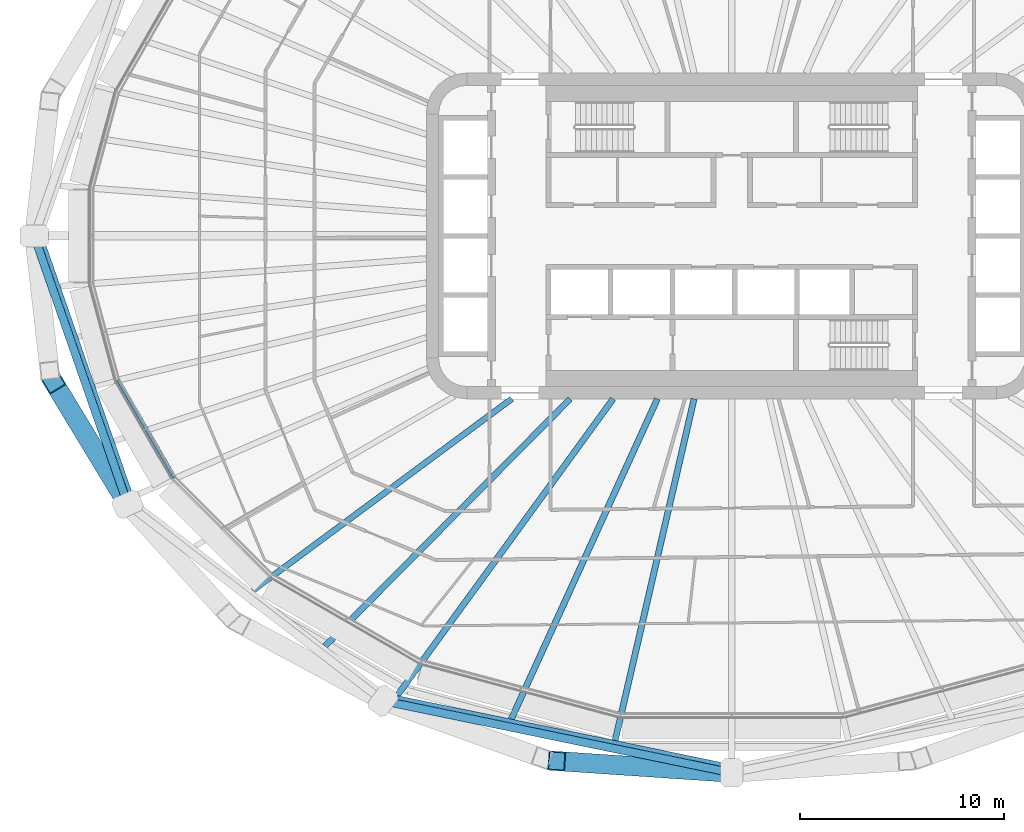
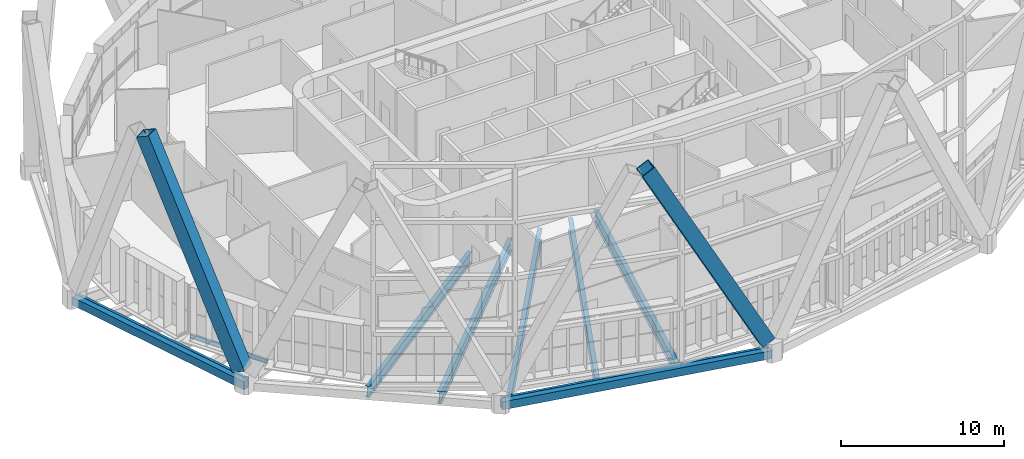
# One storey, part 2 of 25: 10 beams, 2 members.
"""IFC4 building model written with IfcOpenShell, lengths in metres."""

from ifc_helpers import new_model, si_unit, direction, frame, origin, origin_2d, place, context, subcontext, project, spatial, hollow_rectangle, i_section, extrude, material, material_profile, profile_set, type_object, element, save


model = new_model("IFC4")

# Units and contexts
model_context = context("Model", 3, precision=1e-05, world=origin(), true_north=direction((0.0, 1.0)))
body_context = subcontext(model_context, "Body", "Model", "MODEL_VIEW")
ifc_project = project(units=[si_unit("LENGTHUNIT", "METRE"), si_unit("AREAUNIT", "SQUARE_METRE"), si_unit("VOLUMEUNIT", "CUBIC_METRE"), si_unit("PLANEANGLEUNIT", "RADIAN"), si_unit("MASSUNIT", "GRAM", prefix="KILO")], contexts=[model_context])

# Site, building, storey
site_placement = place(None, origin())
site = spatial("IfcSite", under=ifc_project, at=site_placement, CompositionType="ELEMENT")
building_placement = place(site_placement, origin())
building = spatial("IfcBuilding", under=site, at=building_placement, Name="Sahrelin Media Tower", CompositionType="ELEMENT")
storey_placement = place(building_placement, frame((0.0, 0.0, 79.800048828125)))
storey = spatial("IfcBuildingStorey", under=building, at=storey_placement, Name="L14", CompositionType="ELEMENT", Elevation=79.800048828125)

# Members
ifc_material_1 = material(Name="Steel S460", Category="steel")
ifc_material_profile_1 = material_profile(ifc_material_1, hollow_rectangle(XDim=0.949951171875, YDim=0.949951171875, WallThickness=0.054931640625, at=origin_2d()), Name="Diagrid diagonal DG2")
ifc_profile_set_1 = profile_set([ifc_material_profile_1], Name="Steel S460")
member_type = type_object("IfcMemberType", Name="Diagrid diagonal DG2", PredefinedType="BRACE", material=ifc_profile_set_1)
member_1_placement = place(storey_placement, frame((-29.822265625, -12.92041015625, 0.699951171875), z_axis=(-0.207569611633, 0.342492038175, 0.916304567332), x_axis=(-0.855199293174, -0.518299304413, 0.0)))
element("IfcMember", 1, at=member_1_placement, inside=storey, type_object=member_type, Name="Diagrid diagonal D02-13", PredefinedType="BRACE", context=body_context, shape_type="SweptSolid", body=[
    extrude(hollow_rectangle(XDim=0.949951171875, YDim=0.949951171875, WallThickness=0.054931640625, at=origin_2d()), origin(), (0.0, 0.0, 1.0), 16.806640625),
])
member_2_placement = place(storey_placement, frame((-0.373779296875, -26.339111328125, 0.699951171875), z_axis=(-0.470683324445, 0.031647275081, 0.881734460067), x_axis=(-0.067085404611, -0.997747236773, 0.0)))
element("IfcMember", 2, at=member_2_placement, inside=storey, type_object=member_type, Name="Diagrid diagonal D02-17", PredefinedType="BRACE", context=body_context, shape_type="SweptSolid", body=[
    extrude(hollow_rectangle(XDim=0.949951171875, YDim=0.949951171875, WallThickness=0.054931640625, at=origin_2d()), origin(), (0.0, 0.0, 1.0), 17.465576171875),
])

# Beams
ifc_material_profile_2 = material_profile(ifc_material_1, hollow_rectangle(XDim=0.39990234375, YDim=0.60009765625, WallThickness=0.030029296875, at=origin_2d()), Name="Diagrid ring beam RB1")
ifc_profile_set_2 = profile_set([ifc_material_profile_2], Name="Steel S460")
beam_type_1 = type_object("IfcBeamType", Name="Diagrid ring beam RB1", PredefinedType="BEAM", material=ifc_profile_set_2)
beam_1_placement = place(storey_placement, frame((-34.252685546875, 0.0, -0.449951171875), z_axis=(0.328783158081, -0.944405439926, 0.0), x_axis=(0.944405439926, 0.328783158081, 0.0)))
element("IfcBeam", 3, at=beam_1_placement, inside=storey, type_object=beam_type_1, Name="Diagrid ring beam RB02-06", PredefinedType="BEAM", context=body_context, shape_type="SweptSolid", body=[
    extrude(hollow_rectangle(XDim=0.39990234375, YDim=0.60009765625, WallThickness=0.030029296875, at=origin_2d()), origin(), (0.0, 0.0, 1.0), 13.957763671875),
])
beam_2_placement = place(storey_placement, frame((-17.126220703125, -22.83203125, -0.449951171875), z_axis=(0.979389265781, -0.2019818459, 0.0), x_axis=(0.2019818459, 0.979389265781, 0.0)))
element("IfcBeam", 4, at=beam_2_placement, inside=storey, type_object=beam_type_1, Name="Diagrid ring beam RB02-08", PredefinedType="BEAM", context=body_context, shape_type="SweptSolid", body=[
    extrude(hollow_rectangle(XDim=0.39990234375, YDim=0.60009765625, WallThickness=0.030029296875, at=origin_2d()), origin(), (0.0, 0.0, 1.0), 17.486572265625),
])
ifc_material_2 = material(Name="Steel S355", Category="steel")
ifc_material_profile_3 = material_profile(ifc_material_2, i_section(OverallWidth=0.1650390625, OverallDepth=0.303466796875, WebThickness=0.006103515625, FlangeThickness=0.01025390625, FilletRadius=0.0087890625, at=origin_2d()), Name="UB 305x165x40")
ifc_profile_set_3 = profile_set([ifc_material_profile_3], Name="Steel S355")
beam_type_2 = type_object("IfcBeamType", Name="Edge beam EB2", PredefinedType="BEAM", material=ifc_profile_set_3)
beam_3_placement = place(storey_placement, frame((-27.36279296875, -11.860107421875, -0.3017578125), z_axis=(-0.500032921827, 0.866006395524, 0.0), x_axis=(-0.866006395524, -0.500032921827, 0.0)))
element("IfcBeam", 5, at=beam_3_placement, inside=storey, type_object=beam_type_2, Name="Edge beam L14-11", PredefinedType="BEAM", context=body_context, shape_type="SweptSolid", body=[
    extrude(i_section(OverallWidth=0.1650390625, OverallDepth=0.303466796875, WebThickness=0.006103515625, FlangeThickness=0.01025390625, FilletRadius=0.0087890625, at=origin_2d()), origin(), (0.0, 0.0, 1.0), 5.536376953125),
])
ifc_material_profile_4 = material_profile(ifc_material_2, i_section(OverallWidth=0.291748046875, OverallDepth=0.8349609375, WebThickness=0.013916015625, FlangeThickness=0.018798828125, FilletRadius=0.017822265625, at=origin_2d()), Name="UB 838x292x176")
ifc_profile_set_4 = profile_set([ifc_material_profile_4], Name="Steel S355")
beam_type_3 = type_object("IfcBeamType", Name="Radial primary beam PB10", PredefinedType="BEAM", material=ifc_profile_set_4)
beam_4_placement = place(storey_placement, frame((-10.8017578125, -8.0, -0.567626953125), z_axis=(-0.803598471395, -0.595171821218, 0.0), x_axis=(0.595171821218, -0.803598471395, 0.0)))
element("IfcBeam", 6, at=beam_4_placement, inside=storey, type_object=beam_type_3, Name="Radial beam L14-16", PredefinedType="BEAM", context=body_context, shape_type="SweptSolid", body=[
    extrude(i_section(OverallWidth=0.291748046875, OverallDepth=0.8349609375, WebThickness=0.013916015625, FlangeThickness=0.018798828125, FilletRadius=0.017822265625, at=origin_2d()), origin(), (0.0, 0.0, 1.0), 15.8203125),
])
ifc_material_profile_5 = material_profile(ifc_material_2, i_section(OverallWidth=0.30322265625, OverallDepth=0.903076171875, WebThickness=0.01513671875, FlangeThickness=0.020263671875, FilletRadius=0.01904296875, at=origin_2d()), Name="UB 914x305x201")
ifc_profile_set_5 = profile_set([ifc_material_profile_5], Name="Steel S355")
beam_type_4 = type_object("IfcBeamType", Name="Radial primary beam PB11", PredefinedType="BEAM", material=ifc_profile_set_5)
beam_5_placement = place(storey_placement, frame((-5.82177734375, -8.0, -0.6015625), z_axis=(-0.588409281168, -0.808563242941, 0.0), x_axis=(0.808563242941, -0.588409281168, 0.0)))
element("IfcBeam", 7, at=beam_5_placement, inside=storey, type_object=beam_type_4, Name="Radial beam L14-17", PredefinedType="BEAM", context=body_context, shape_type="SweptSolid", body=[
    extrude(i_section(OverallWidth=0.30322265625, OverallDepth=0.903076171875, WebThickness=0.01513671875, FlangeThickness=0.020263671875, FilletRadius=0.01904296875, at=origin_2d()), origin(), (0.0, 0.0, 1.0), 18.022705078125),
])
beam_6_placement = place(storey_placement, frame((-1.848388671875, -8.0, -0.6015625), z_axis=(-0.225091418357, -0.97433764855, 0.0), x_axis=(0.97433764855, -0.225091418357, 0.0)))
element("IfcBeam", 8, at=beam_6_placement, inside=storey, type_object=beam_type_4, Name="Radial beam L14-18", PredefinedType="BEAM", context=body_context, shape_type="SweptSolid", body=[
    extrude(i_section(OverallWidth=0.30322265625, OverallDepth=0.903076171875, WebThickness=0.01513671875, FlangeThickness=0.020263671875, FilletRadius=0.01904296875, at=origin_2d()), origin(), (0.0, 0.0, 1.0), 17.2216796875),
])
ifc_material_profile_6 = material_profile(ifc_material_2, i_section(OverallWidth=0.30322265625, OverallDepth=0.903076171875, WebThickness=0.01513671875, FlangeThickness=0.020263671875, FilletRadius=0.01904296875, at=origin_2d()), Name="UB 914x305x201")
ifc_profile_set_6 = profile_set([ifc_material_profile_6], Name="Steel S355")
beam_type_5 = type_object("IfcBeamType", Name="Radial secondary beam SB11", PredefinedType="BEAM", material=ifc_profile_set_6)
beam_7_placement = place(storey_placement, frame((-7.93310546875, -8.0, -0.6015625), z_axis=(-0.704137932596, -0.710063216819, 0.0), x_axis=(0.710063216819, -0.704137932596, 0.0)))
element("IfcBeam", 9, at=beam_7_placement, inside=storey, type_object=beam_type_5, Name="Secondary beam L14-16", PredefinedType="BEAM", context=body_context, shape_type="SweptSolid", body=[
    extrude(i_section(OverallWidth=0.30322265625, OverallDepth=0.903076171875, WebThickness=0.01513671875, FlangeThickness=0.020263671875, FilletRadius=0.01904296875, at=origin_2d()), origin(), (0.0, 0.0, 1.0), 17.099365234375),
])
beam_8_placement = place(storey_placement, frame((-3.650390625, -8.0, -0.6015625), z_axis=(-0.415103826576, -0.909774045113, 0.0), x_axis=(0.909774045113, -0.415103826576, 0.0)))
element("IfcBeam", 10, at=beam_8_placement, inside=storey, type_object=beam_type_5, Name="Secondary beam L14-17", PredefinedType="BEAM", context=body_context, shape_type="SweptSolid", body=[
    extrude(i_section(OverallWidth=0.30322265625, OverallDepth=0.903076171875, WebThickness=0.01513671875, FlangeThickness=0.020263671875, FilletRadius=0.01904296875, at=origin_2d()), origin(), (0.0, 0.0, 1.0), 17.287353515625),
])
ifc_material_profile_7 = material_profile(ifc_material_2, i_section(OverallWidth=0.1904296875, OverallDepth=0.45703125, WebThickness=0.009033203125, FlangeThickness=0.014404296875, FilletRadius=0.01025390625, at=origin_2d()), Name="UB 457x191x74")
ifc_profile_set_7 = profile_set([ifc_material_profile_7], Name="Steel S355")
beam_type_6 = type_object("IfcBeamType", Name="Tie chord TC5", PredefinedType="BEAM", material=ifc_profile_set_7)
beam_9_placement = place(storey_placement, frame((0.0, -26.0576171875, -0.378662109375), z_axis=(-0.979388508786, 0.201985516455, 0.0), x_axis=(-0.201985516455, -0.979388508786, 0.0)))
element("IfcBeam", 11, at=beam_9_placement, inside=storey, type_object=beam_type_6, Name="Tie chord L14-04", PredefinedType="BEAM", context=body_context, shape_type="SweptSolid", body=[
    extrude(i_section(OverallWidth=0.1904296875, OverallDepth=0.45703125, WebThickness=0.009033203125, FlangeThickness=0.014404296875, FilletRadius=0.01025390625, at=origin_2d()), origin(), (0.0, 0.0, 1.0), 17.355712890625),
])
beam_10_placement = place(storey_placement, frame((-29.409423828125, -12.998779296875, -0.378662109375), z_axis=(-0.32878479217, 0.944404871036, 0.0), x_axis=(-0.944404871036, -0.32878479217, 0.0)))
element("IfcBeam", 12, at=beam_10_placement, inside=storey, type_object=beam_type_6, Name="Tie chord L14-06", PredefinedType="BEAM", context=body_context, shape_type="SweptSolid", body=[
    extrude(i_section(OverallWidth=0.1904296875, OverallDepth=0.45703125, WebThickness=0.009033203125, FlangeThickness=0.014404296875, FilletRadius=0.01025390625, at=origin_2d()), origin(), (0.0, 0.0, 1.0), 13.763916015625),
])

save(model, "model.ifc")
